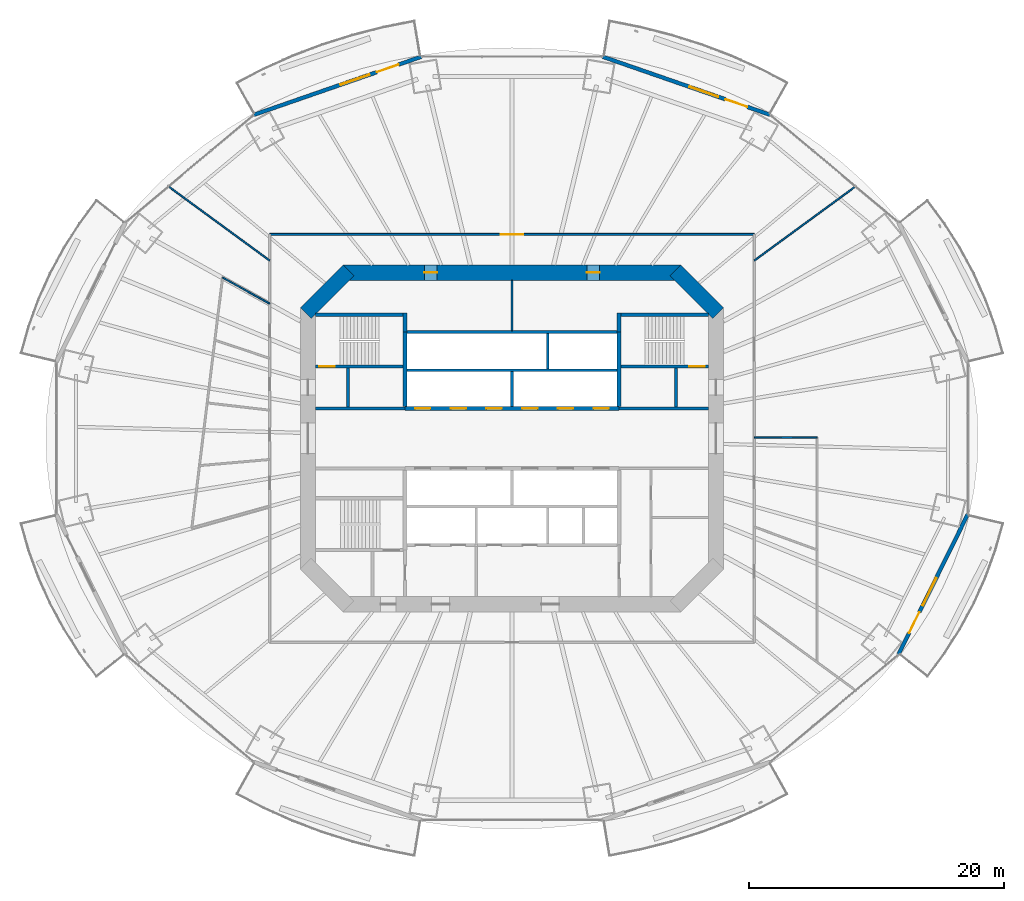
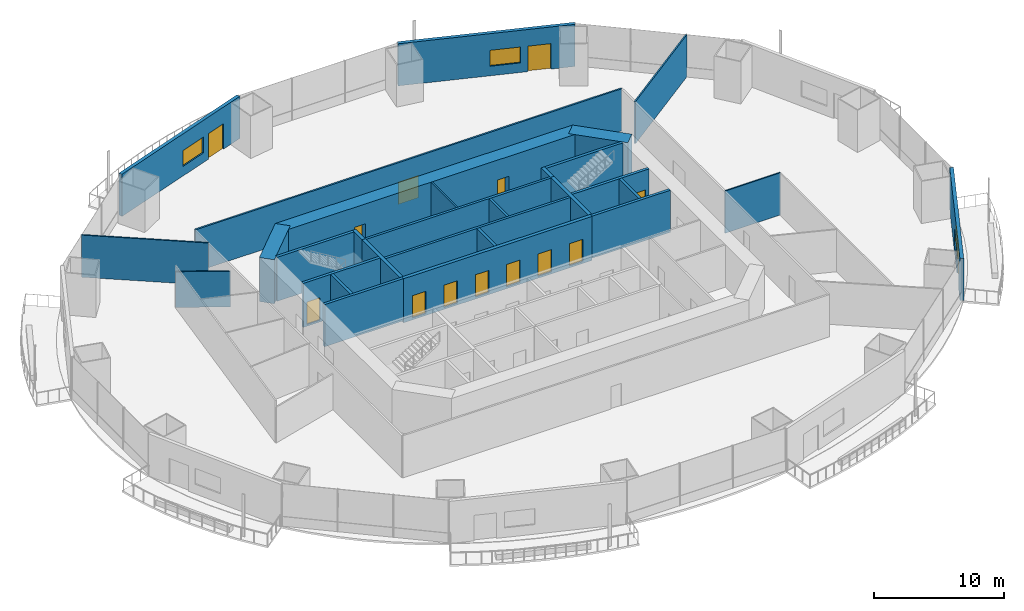
# One storey, part 16 of 23: 29 walls, 14 doors, 3 windows, 17 openings.
"""IFC4 building model written with IfcOpenShell, lengths in metres."""

from ifc_helpers import new_model, si_unit, direction, frame, frame_2d, origin, place, context, subcontext, project, spatial, rectangle, extrude, material, layer, layer_set, type_object, element, fill, save


model = new_model("IFC4")

# Units and contexts
model_context = context("Model", 3, precision=1e-05, world=origin(), true_north=direction((0.0, 1.0)))
body_context = subcontext(model_context, "Body", "Model", "MODEL_VIEW")
ifc_project = project(units=[si_unit("LENGTHUNIT", "METRE"), si_unit("AREAUNIT", "SQUARE_METRE"), si_unit("VOLUMEUNIT", "CUBIC_METRE"), si_unit("PLANEANGLEUNIT", "RADIAN"), si_unit("MASSUNIT", "GRAM", prefix="KILO")], contexts=[model_context])

# Site, building, storey
site_placement = place(None, origin())
site = spatial("IfcSite", under=ifc_project, at=site_placement, CompositionType="ELEMENT")
building_placement = place(site_placement, origin())
building = spatial("IfcBuilding", under=site, at=building_placement, Name="Marenthal Gate Tower", CompositionType="ELEMENT")
storey_placement = place(building_placement, frame((0.0, 0.0, 53.75)))
storey = spatial("IfcBuildingStorey", under=building, at=storey_placement, Name="L09", CompositionType="ELEMENT", Elevation=53.75)

# Wall
ifc_material_1 = material(Name="Concrete 60 MPa", Category="concrete")
ifc_layer_1 = layer(ifc_material_1, 1.199951171875)
ifc_layer_set_1 = layer_set([ifc_layer_1], Name="Core shear wall 1200")
wall_type_1 = type_object("IfcWallType", Name="Core shear wall 1200", PredefinedType="SHEAR", material=ifc_layer_set_1)
wall_1_placement = place(storey_placement, frame((16.17578125, 9.82421875, -0.179931640625), z_axis=(0.0, 0.0, 1.0), x_axis=(-0.707106781187, 0.707106781187, 0.0)))
element("IfcWall", 1, at=wall_1_placement, inside=storey, type_object=wall_type_1, Name="Core wall 03", PredefinedType="SHEAR", context=body_context, shape_type="SweptSolid", body=[
    extrude(rectangle(XDim=4.73974609375, YDim=1.199951171875, at=frame_2d((2.369873046875, 0.0))), origin(), (0.0, 0.0, 1.0), 4.14990234375),
])

# Wall, openings, doors
wall_2_placement = place(storey_placement, frame((13.24853515625, 13.0, -0.179931640625), z_axis=(0.0, 0.0, 1.0), x_axis=(-1.0, 0.0, 0.0)))
wall_2 = element("IfcWall", 2, at=wall_2_placement, inside=storey, type_object=wall_type_1, Name="Core wall 04", PredefinedType="SHEAR", context=body_context, shape_type="SweptSolid", body=[
    extrude(rectangle(XDim=26.4970703125, YDim=1.199951171875, at=frame_2d((13.24853515625, 0.0))), origin(), (0.0, 0.0, 1.0), 4.14990234375),
])
opening_1_placement = place(wall_2_placement, frame((19.12451171875, 0.0, 0.179931640625)))
opening_1 = element("IfcOpeningElement", 3, at=opening_1_placement, cuts=wall_2, Name="Opening D005.01", PredefinedType="OPENING", context=body_context, shape_type="SweptSolid", body=[
    extrude(rectangle(XDim=1.0, YDim=2.10009765625, at=frame_2d((0.5, 1.050048828125))), frame((0.0, 0.60986328125, 0.0), z_axis=(0.0, -1.0, 0.0), x_axis=(1.0, 0.0, 0.0)), (0.0, 0.0, 1.0), 1.219970703125),
])
opening_2_placement = place(wall_2_placement, frame((6.37255859375, 0.0, 0.179931640625)))
opening_2 = element("IfcOpeningElement", 4, at=opening_2_placement, cuts=wall_2, Name="Opening D005.02", PredefinedType="OPENING", context=body_context, shape_type="SweptSolid", body=[
    extrude(rectangle(XDim=1.0, YDim=2.10009765625, at=frame_2d((0.5, 1.050048828125))), frame((0.0, 0.60986328125, 0.0), z_axis=(0.0, -1.0, 0.0), x_axis=(1.0, 0.0, 0.0)), (0.0, 0.0, 1.0), 1.219970703125),
])
ifc_material_2 = material(Name="Steel fire door", Category="steel")
door_type_1 = type_object("IfcDoorType", Name="Fire door FD 45 1000 x 2100", OperationType="NOTDEFINED", PredefinedType="DOOR", material=ifc_material_2)
door_1_placement = place(opening_1_placement, origin())
door_1 = element("IfcDoor", 5, at=door_1_placement, inside=storey, type_object=door_type_1, Name="Door D005.01", OperationType="SINGLE_SWING_RIGHT", OverallHeight=2.10009765625, OverallWidth=1.0, PredefinedType="DOOR", context=body_context, shape_type="SweptSolid", body=[
    extrude(rectangle(XDim=1.0, YDim=2.10009765625, at=frame_2d((0.5, 1.050048828125))), frame((0.0, 0.02490234375, 0.0), z_axis=(0.0, -1.0, 0.0), x_axis=(1.0, 0.0, 0.0)), (0.0, 0.0, 1.0), 0.050048828125),
])
fill(opening_1, door_1)
door_2_placement = place(opening_2_placement, origin())
door_2 = element("IfcDoor", 6, at=door_2_placement, inside=storey, type_object=door_type_1, Name="Door D005.02", OperationType="SINGLE_SWING_RIGHT", OverallHeight=2.10009765625, OverallWidth=1.0, PredefinedType="DOOR", context=body_context, shape_type="SweptSolid", body=[
    extrude(rectangle(XDim=1.0, YDim=2.10009765625, at=frame_2d((0.5, 1.050048828125))), frame((0.0, 0.02490234375, 0.0), z_axis=(0.0, -1.0, 0.0), x_axis=(1.0, 0.0, 0.0)), (0.0, 0.0, 1.0), 0.050048828125),
])
fill(opening_2, door_2)

# Wall
wall_3_placement = place(storey_placement, frame((-12.82421875, 13.17578125, -0.179931640625), z_axis=(0.0, 0.0, 1.0), x_axis=(-0.707106781187, -0.707106781187, 0.0)))
element("IfcWall", 7, at=wall_3_placement, inside=storey, type_object=wall_type_1, Name="Core wall 05", PredefinedType="SHEAR", context=body_context, shape_type="SweptSolid", body=[
    extrude(rectangle(XDim=4.73974609375, YDim=1.199951171875, at=frame_2d((2.369873046875, 0.0))), origin(), (0.0, 0.0, 1.0), 4.14990234375),
])

# Wall, openings, doors
ifc_material_3 = material(Name="Concrete 50 MPa", Category="concrete")
ifc_layer_2 = layer(ifc_material_3, 0.300048828125)
ifc_layer_set_2 = layer_set([ifc_layer_2], Name="Hoistway shear wall 300")
wall_type_2 = type_object("IfcWallType", Name="Hoistway shear wall 300", PredefinedType="SHEAR", material=ifc_layer_set_2)
wall_4_placement = place(storey_placement, frame((-8.39990234375, 2.35009765625, -0.179931640625), z_axis=(0.0, 0.0, 1.0), x_axis=(1.0, 0.0, 0.0)))
wall_4 = element("IfcWall", 8, at=wall_4_placement, inside=storey, type_object=wall_type_2, Name="Hoistway wall 19", PredefinedType="SHEAR", context=body_context, shape_type="SweptSolid", body=[
    extrude(rectangle(XDim=16.7998046875, YDim=0.300048828125, at=frame_2d((8.39990234375, 0.0))), origin(), (0.0, 0.0, 1.0), 4.14990234375),
])
opening_3_placement = place(wall_4_placement, frame((0.800048828125, 0.0, 0.179931640625)))
opening_3 = element("IfcOpeningElement", 9, at=opening_3_placement, cuts=wall_4, Name="Opening LD-LP1", PredefinedType="OPENING", context=body_context, shape_type="SweptSolid", body=[
    extrude(rectangle(XDim=1.199951171875, YDim=2.10009765625, at=frame_2d((0.60009765625, 1.050048828125))), frame((0.0, 0.16015625, 0.0), z_axis=(0.0, -1.0, 0.0), x_axis=(1.0, 0.0, 0.0)), (0.0, 0.0, 1.0), 0.320068359375),
])
opening_4_placement = place(wall_4_placement, frame((3.60009765625, 0.0, 0.179931640625)))
opening_4 = element("IfcOpeningElement", 10, at=opening_4_placement, cuts=wall_4, Name="Opening LD-LP2", PredefinedType="OPENING", context=body_context, shape_type="SweptSolid", body=[
    extrude(rectangle(XDim=1.199951171875, YDim=2.10009765625, at=frame_2d((0.60009765625, 1.050048828125))), frame((0.0, 0.16015625, 0.0), z_axis=(0.0, -1.0, 0.0), x_axis=(1.0, 0.0, 0.0)), (0.0, 0.0, 1.0), 0.320068359375),
])
opening_5_placement = place(wall_4_placement, frame((6.39990234375, 0.0, 0.179931640625)))
opening_5 = element("IfcOpeningElement", 11, at=opening_5_placement, cuts=wall_4, Name="Opening LD-LP3", PredefinedType="OPENING", context=body_context, shape_type="SweptSolid", body=[
    extrude(rectangle(XDim=1.199951171875, YDim=2.10009765625, at=frame_2d((0.60009765625, 1.050048828125))), frame((0.0, 0.16015625, 0.0), z_axis=(0.0, -1.0, 0.0), x_axis=(1.0, 0.0, 0.0)), (0.0, 0.0, 1.0), 0.320068359375),
])
opening_6_placement = place(wall_4_placement, frame((9.199951171875, 0.0, 0.179931640625)))
opening_6 = element("IfcOpeningElement", 12, at=opening_6_placement, cuts=wall_4, Name="Opening LD-LP4", PredefinedType="OPENING", context=body_context, shape_type="SweptSolid", body=[
    extrude(rectangle(XDim=1.199951171875, YDim=2.10009765625, at=frame_2d((0.60009765625, 1.050048828125))), frame((0.0, 0.16015625, 0.0), z_axis=(0.0, -1.0, 0.0), x_axis=(1.0, 0.0, 0.0)), (0.0, 0.0, 1.0), 0.320068359375),
])
opening_7_placement = place(wall_4_placement, frame((12.0, 0.0, 0.179931640625)))
opening_7 = element("IfcOpeningElement", 13, at=opening_7_placement, cuts=wall_4, Name="Opening LD-LP5", PredefinedType="OPENING", context=body_context, shape_type="SweptSolid", body=[
    extrude(rectangle(XDim=1.199951171875, YDim=2.10009765625, at=frame_2d((0.60009765625, 1.050048828125))), frame((0.0, 0.16015625, 0.0), z_axis=(0.0, -1.0, 0.0), x_axis=(1.0, 0.0, 0.0)), (0.0, 0.0, 1.0), 0.320068359375),
])
opening_8_placement = place(wall_4_placement, frame((14.800048828125, 0.0, 0.179931640625)))
opening_8 = element("IfcOpeningElement", 14, at=opening_8_placement, cuts=wall_4, Name="Opening LD-LP6", PredefinedType="OPENING", context=body_context, shape_type="SweptSolid", body=[
    extrude(rectangle(XDim=1.199951171875, YDim=2.10009765625, at=frame_2d((0.60009765625, 1.050048828125))), frame((0.0, 0.16015625, 0.0), z_axis=(0.0, -1.0, 0.0), x_axis=(1.0, 0.0, 0.0)), (0.0, 0.0, 1.0), 0.320068359375),
])
ifc_material_4 = material(Name="Stainless steel sliding door", Category="steel")
door_type_2 = type_object("IfcDoorType", Name="Lift landing door FD 90 1200 x 2100", OperationType="DOUBLE_DOOR_SLIDING", PredefinedType="DOOR", material=ifc_material_4)
door_3_placement = place(opening_3_placement, origin())
door_3 = element("IfcDoor", 15, at=door_3_placement, inside=storey, type_object=door_type_2, Name="Lift landing door LP1", OperationType="DOUBLE_DOOR_SLIDING", OverallHeight=2.10009765625, OverallWidth=1.199951171875, PredefinedType="DOOR", context=body_context, shape_type="SweptSolid", body=[
    extrude(rectangle(XDim=1.199951171875, YDim=2.10009765625, at=frame_2d((0.60009765625, 1.050048828125))), frame((0.0, 0.02490234375, 0.0), z_axis=(0.0, -1.0, 0.0), x_axis=(1.0, 0.0, 0.0)), (0.0, 0.0, 1.0), 0.050048828125),
])
fill(opening_3, door_3)
door_4_placement = place(opening_4_placement, origin())
door_4 = element("IfcDoor", 16, at=door_4_placement, inside=storey, type_object=door_type_2, Name="Lift landing door LP2", OperationType="DOUBLE_DOOR_SLIDING", OverallHeight=2.10009765625, OverallWidth=1.199951171875, PredefinedType="DOOR", context=body_context, shape_type="SweptSolid", body=[
    extrude(rectangle(XDim=1.199951171875, YDim=2.10009765625, at=frame_2d((0.60009765625, 1.050048828125))), frame((0.0, 0.02490234375, 0.0), z_axis=(0.0, -1.0, 0.0), x_axis=(1.0, 0.0, 0.0)), (0.0, 0.0, 1.0), 0.050048828125),
])
fill(opening_4, door_4)
door_5_placement = place(opening_5_placement, origin())
door_5 = element("IfcDoor", 17, at=door_5_placement, inside=storey, type_object=door_type_2, Name="Lift landing door LP3", OperationType="DOUBLE_DOOR_SLIDING", OverallHeight=2.10009765625, OverallWidth=1.199951171875, PredefinedType="DOOR", context=body_context, shape_type="SweptSolid", body=[
    extrude(rectangle(XDim=1.199951171875, YDim=2.10009765625, at=frame_2d((0.60009765625, 1.050048828125))), frame((0.0, 0.02490234375, 0.0), z_axis=(0.0, -1.0, 0.0), x_axis=(1.0, 0.0, 0.0)), (0.0, 0.0, 1.0), 0.050048828125),
])
fill(opening_5, door_5)
door_6_placement = place(opening_6_placement, origin())
door_6 = element("IfcDoor", 18, at=door_6_placement, inside=storey, type_object=door_type_2, Name="Lift landing door LP4", OperationType="DOUBLE_DOOR_SLIDING", OverallHeight=2.10009765625, OverallWidth=1.199951171875, PredefinedType="DOOR", context=body_context, shape_type="SweptSolid", body=[
    extrude(rectangle(XDim=1.199951171875, YDim=2.10009765625, at=frame_2d((0.60009765625, 1.050048828125))), frame((0.0, 0.02490234375, 0.0), z_axis=(0.0, -1.0, 0.0), x_axis=(1.0, 0.0, 0.0)), (0.0, 0.0, 1.0), 0.050048828125),
])
fill(opening_6, door_6)
door_7_placement = place(opening_7_placement, origin())
door_7 = element("IfcDoor", 19, at=door_7_placement, inside=storey, type_object=door_type_2, Name="Lift landing door LP5", OperationType="DOUBLE_DOOR_SLIDING", OverallHeight=2.10009765625, OverallWidth=1.199951171875, PredefinedType="DOOR", context=body_context, shape_type="SweptSolid", body=[
    extrude(rectangle(XDim=1.199951171875, YDim=2.10009765625, at=frame_2d((0.60009765625, 1.050048828125))), frame((0.0, 0.02490234375, 0.0), z_axis=(0.0, -1.0, 0.0), x_axis=(1.0, 0.0, 0.0)), (0.0, 0.0, 1.0), 0.050048828125),
])
fill(opening_7, door_7)
door_8_placement = place(opening_8_placement, origin())
door_8 = element("IfcDoor", 20, at=door_8_placement, inside=storey, type_object=door_type_2, Name="Lift landing door LP6", OperationType="DOUBLE_DOOR_SLIDING", OverallHeight=2.10009765625, OverallWidth=1.199951171875, PredefinedType="DOOR", context=body_context, shape_type="SweptSolid", body=[
    extrude(rectangle(XDim=1.199951171875, YDim=2.10009765625, at=frame_2d((0.60009765625, 1.050048828125))), frame((0.0, 0.02490234375, 0.0), z_axis=(0.0, -1.0, 0.0), x_axis=(1.0, 0.0, 0.0)), (0.0, 0.0, 1.0), 0.050048828125),
])
fill(opening_8, door_8)

# Walls
for number, where, z_axis, x_axis, name in (
    (21, (-8.39990234375, 2.5, -0.179931640625), (0.0, 0.0, 1.0), (0.0, 1.0, 0.0), "Hoistway wall 31"),
    (22, (8.39990234375, 2.5, -0.179931640625), (0.0, 0.0, 1.0), (0.0, 1.0, 0.0), "Hoistway wall 43"),
):
    element("IfcWall", number, at=place(storey_placement, frame(where, z_axis=z_axis, x_axis=x_axis)), inside=storey, type_object=wall_type_2, Name=name, PredefinedType="SHEAR", context=body_context, shape_type="SweptSolid", body=[
        extrude(rectangle(XDim=5.85009765625, YDim=0.300048828125, at=frame_2d((2.925048828125, 0.0))), origin(), (0.0, 0.0, 1.0), 4.14990234375),
    ])
ifc_material_5 = material(Name="Concrete 40 MPa", Category="concrete")
ifc_layer_3 = layer(ifc_material_5, 0.219970703125)
ifc_layer_set_3 = layer_set([ifc_layer_3], Name="Hoistway wall 220")
wall_type_3 = type_object("IfcWallType", Name="Hoistway wall 220", PredefinedType="STANDARD", material=ifc_layer_set_3)
for number, where, z_axis, x_axis, name in (
    (23, (-8.25, 5.35009765625, 0.0), (0.0, 0.0, 1.0), (1.0, 0.0, 0.0), "Hoistway wall 21"),
    (24, (-8.25, 8.35009765625, 0.0), (0.0, 0.0, 1.0), (1.0, 0.0, 0.0), "Hoistway wall 24"),
):
    element("IfcWall", number, at=place(storey_placement, frame(where, z_axis=z_axis, x_axis=x_axis)), inside=storey, type_object=wall_type_3, Name=name, PredefinedType="STANDARD", context=body_context, shape_type="SweptSolid", body=[
        extrude(rectangle(XDim=16.5, YDim=0.219970703125, at=frame_2d((8.25, 0.0))), origin(), (0.0, 0.0, 1.0), 3.969970703125),
    ])
wall_5_placement = place(storey_placement, frame((0.0, 2.5, 0.0), z_axis=(0.0, 0.0, 1.0), x_axis=(0.0, 1.0, 0.0)))
element("IfcWall", 25, at=wall_5_placement, inside=storey, type_object=wall_type_3, Name="Hoistway wall 36", PredefinedType="STANDARD", context=body_context, shape_type="SweptSolid", body=[
    extrude(rectangle(XDim=2.739990234375, YDim=0.219970703125, at=frame_2d((1.3701171875, 0.0))), origin(), (0.0, 0.0, 1.0), 3.969970703125),
])
wall_6_placement = place(storey_placement, frame((2.800048828125, 5.4599609375, 0.0), z_axis=(0.0, 0.0, 1.0), x_axis=(0.0, 1.0, 0.0)))
element("IfcWall", 26, at=wall_6_placement, inside=storey, type_object=wall_type_3, Name="Hoistway wall 39", PredefinedType="STANDARD", context=body_context, shape_type="SweptSolid", body=[
    extrude(rectangle(XDim=2.780029296875, YDim=0.219970703125, at=frame_2d((1.39013671875, 0.0))), origin(), (0.0, 0.0, 1.0), 3.969970703125),
])
ifc_material_6 = material(Name="Gypsum board on steel studs", Category="steel")
ifc_layer_4 = layer(ifc_material_6, 0.1201171875)
ifc_layer_set_4 = layer_set([ifc_layer_4], Name="Partition 120")
wall_type_4 = type_object("IfcWallType", Name="Partition 120", PredefinedType="PARTITIONING", material=ifc_layer_set_4)
wall_7_placement = place(storey_placement, frame((-22.6953125, 12.618896484375, 0.0), z_axis=(0.0, 0.0, 1.0), x_axis=(0.87398290434, -0.485956667741, 0.0)))
element("IfcWall", 27, at=wall_7_placement, inside=storey, type_object=wall_type_4, Name="Partition wall 51", PredefinedType="PARTITIONING", context=body_context, shape_type="SweptSolid", body=[
    extrude(rectangle(XDim=4.22802734375, YDim=0.1201171875, at=frame_2d((2.114013671875, 0.0))), origin(), (0.0, 0.0, 1.0), 3.35791015625),
])
wall_8_placement = place(storey_placement, frame((-19.0, 13.941162109375, 0.0), z_axis=(0.0, 0.0, 1.0), x_axis=(-0.806231534746, 0.591600128787, 0.0)))
element("IfcWall", 28, at=wall_8_placement, inside=storey, type_object=wall_type_4, Name="Partition wall 54", PredefinedType="PARTITIONING", context=body_context, shape_type="SweptSolid", body=[
    extrude(rectangle(XDim=9.84619140625, YDim=0.1201171875, at=frame_2d((4.923095703125, 0.0))), origin(), (0.0, 0.0, 1.0), 3.969970703125),
])
wall_9_placement = place(storey_placement, frame((19.0, 13.94140625, 0.0), z_axis=(0.0, 0.0, 1.0), x_axis=(0.806243361472, 0.59158401101, 0.0)))
element("IfcWall", 29, at=wall_9_placement, inside=storey, type_object=wall_type_4, Name="Partition wall 58", PredefinedType="PARTITIONING", context=body_context, shape_type="SweptSolid", body=[
    extrude(rectangle(XDim=9.845947265625, YDim=0.1201171875, at=frame_2d((4.9228515625, 0.0))), origin(), (0.0, 0.0, 1.0), 3.969970703125),
])
wall_10_placement = place(storey_placement, frame((23.921630859375, 0.078125, 0.0), z_axis=(0.0, 0.0, 1.0), x_axis=(-0.999994640597, -0.003273954377, 0.0)))
element("IfcWall", 30, at=wall_10_placement, inside=storey, type_object=wall_type_4, Name="Partition wall 62", PredefinedType="PARTITIONING", context=body_context, shape_type="SweptSolid", body=[
    extrude(rectangle(XDim=4.921630859375, YDim=0.1201171875, at=frame_2d((2.4609375, 0.0))), origin(), (0.0, 0.0, 1.0), 3.969970703125),
])
ifc_material_7 = material(Name="Gypsum board on steel studs", Category="steel")
ifc_layer_5 = layer(ifc_material_7, 0.14990234375)
ifc_layer_set_5 = layer_set([ifc_layer_5], Name="Partition 150")
wall_type_5 = type_object("IfcWallType", Name="Partition 150", PredefinedType="PARTITIONING", material=ifc_layer_set_5)
wall_11_placement = place(storey_placement, frame((0.0, 8.4599609375, 0.0), z_axis=(0.0, 0.0, 1.0), x_axis=(0.0, 1.0, 0.0)))
element("IfcWall", 31, at=wall_11_placement, inside=storey, type_object=wall_type_5, Name="Partition wall 37", PredefinedType="PARTITIONING", context=body_context, shape_type="SweptSolid", body=[
    extrude(rectangle(XDim=3.93994140625, YDim=0.14990234375, at=frame_2d((1.969970703125, 0.0))), origin(), (0.0, 0.0, 1.0), 3.969970703125),
])

# Wall, opening, door
wall_12_placement = place(storey_placement, frame((-19.0, 16.0, 0.0), z_axis=(0.0, 0.0, 1.0), x_axis=(1.0, 0.0, 0.0)))
wall_12 = element("IfcWall", 32, at=wall_12_placement, inside=storey, type_object=wall_type_5, Name="Partition wall 55", PredefinedType="PARTITIONING", context=body_context, shape_type="SweptSolid", body=[
    extrude(rectangle(XDim=38.0, YDim=0.14990234375, at=frame_2d((19.0, 0.0))), origin(), (0.0, 0.0, 1.0), 3.969970703125),
])
opening_9_placement = place(wall_12_placement, frame((18.10009765625, 0.0, 0.0)))
opening_9 = element("IfcOpeningElement", 33, at=opening_9_placement, cuts=wall_12, Name="Opening D014.01", PredefinedType="OPENING", context=body_context, shape_type="SweptSolid", body=[
    extrude(rectangle(XDim=1.800048828125, YDim=2.10009765625, at=frame_2d((0.89990234375, 1.050048828125))), frame((0.0, 0.0849609375, 0.0), z_axis=(0.0, -1.0, 0.0), x_axis=(1.0, 0.0, 0.0)), (0.0, 0.0, 1.0), 0.169921875),
])
ifc_material_8 = material(Name="Timber door", Category="wood")
door_type_3 = type_object("IfcDoorType", Name="Double door 1800 x 2100", OperationType="DOUBLE_DOOR_SINGLE_SWING", PredefinedType="DOOR", material=ifc_material_8)
door_9_placement = place(opening_9_placement, origin())
door_9 = element("IfcDoor", 34, at=door_9_placement, inside=storey, type_object=door_type_3, Name="Door D014.01", OperationType="DOUBLE_DOOR_SINGLE_SWING", OverallHeight=2.10009765625, OverallWidth=1.800048828125, PredefinedType="DOOR", context=body_context, shape_type="SweptSolid", body=[
    extrude(rectangle(XDim=1.800048828125, YDim=2.10009765625, at=frame_2d((0.89990234375, 1.050048828125))), frame((0.0, 0.02490234375, 0.0), z_axis=(0.0, -1.0, 0.0), x_axis=(1.0, 0.0, 0.0)), (0.0, 0.0, 1.0), 0.050048828125),
])
fill(opening_9, door_9)

# Walls
ifc_material_9 = material(Name="Concrete 40 MPa", Category="concrete")
ifc_layer_6 = layer(ifc_material_9, 0.25)
ifc_layer_set_6 = layer_set([ifc_layer_6], Name="Stair enclosure wall 250")
wall_type_6 = type_object("IfcWallType", Name="Stair enclosure wall 250", PredefinedType="STANDARD", material=ifc_layer_set_6)
for number, where, z_axis, x_axis, name in (
    (35, (-15.39990234375, 2.35009765625, 0.0), (0.0, 0.0, 1.0), (1.0, 0.0, 0.0), "Stair wall 18"),
    (36, (8.39990234375, 2.35009765625, 0.0), (0.0, 0.0, 1.0), (1.0, 0.0, 0.0), "Stair wall 20"),
):
    element("IfcWall", number, at=place(storey_placement, frame(where, z_axis=z_axis, x_axis=x_axis)), inside=storey, type_object=wall_type_6, Name=name, PredefinedType="STANDARD", context=body_context, shape_type="SweptSolid", body=[
        extrude(rectangle(XDim=7.0, YDim=0.25, at=frame_2d((3.5, 0.0))), origin(), (0.0, 0.0, 1.0), 3.969970703125),
    ])
for number, where, z_axis, x_axis, name in (
    (37, (-12.85009765625, 2.47509765625, 0.0), (0.0, 0.0, 1.0), (0.0, 1.0, 0.0), "Stair wall 27"),
    (38, (12.85009765625, 2.47509765625, 0.0), (0.0, 0.0, 1.0), (0.0, 1.0, 0.0), "Stair wall 46"),
):
    element("IfcWall", number, at=place(storey_placement, frame(where, z_axis=z_axis, x_axis=x_axis)), inside=storey, type_object=wall_type_6, Name=name, PredefinedType="STANDARD", context=body_context, shape_type="SweptSolid", body=[
        extrude(rectangle(XDim=3.0498046875, YDim=0.25, at=frame_2d((1.52490234375, 0.0))), origin(), (0.0, 0.0, 1.0), 3.969970703125),
    ])

# Wall, opening, door
ifc_material_10 = material(Name="Concrete 50 MPa", Category="concrete")
ifc_layer_7 = layer(ifc_material_10, 0.25)
ifc_layer_set_7 = layer_set([ifc_layer_7], Name="Stair shear wall 250")
wall_type_7 = type_object("IfcWallType", Name="Stair shear wall 250", PredefinedType="SHEAR", material=ifc_layer_set_7)
wall_13_placement = place(storey_placement, frame((-15.39990234375, 5.64990234375, -0.179931640625), z_axis=(0.0, 0.0, 1.0), x_axis=(1.0, 0.0, 0.0)))
wall_13 = element("IfcWall", 39, at=wall_13_placement, inside=storey, type_object=wall_type_7, Name="Stair wall 22", PredefinedType="SHEAR", context=body_context, shape_type="SweptSolid", body=[
    extrude(rectangle(XDim=6.849853515625, YDim=0.25, at=frame_2d((3.4248046875, 0.0))), origin(), (0.0, 0.0, 1.0), 4.14990234375),
])
opening_10_placement = place(wall_13_placement, frame((0.300048828125, 0.0, 0.179931640625)))
opening_10 = element("IfcOpeningElement", 40, at=opening_10_placement, cuts=wall_13, Name="Opening D001.01", PredefinedType="OPENING", context=body_context, shape_type="SweptSolid", body=[
    extrude(rectangle(XDim=1.199951171875, YDim=2.10009765625, at=frame_2d((0.60009765625, 1.050048828125))), frame((0.0, 0.135009765625, 0.0), z_axis=(0.0, -1.0, 0.0), x_axis=(1.0, 0.0, 0.0)), (0.0, 0.0, 1.0), 0.27001953125),
])
ifc_material_11 = material(Name="Steel fire door", Category="steel")
door_type_4 = type_object("IfcDoorType", Name="Fire door FD 90 1200 x 2100", OperationType="NOTDEFINED", PredefinedType="DOOR", material=ifc_material_11)
door_10_placement = place(opening_10_placement, origin())
door_10 = element("IfcDoor", 41, at=door_10_placement, inside=storey, type_object=door_type_4, Name="Door D001.01", OperationType="SINGLE_SWING_RIGHT", OverallHeight=2.10009765625, OverallWidth=1.199951171875, PredefinedType="DOOR", context=body_context, shape_type="SweptSolid", body=[
    extrude(rectangle(XDim=1.199951171875, YDim=2.10009765625, at=frame_2d((0.60009765625, 1.050048828125))), frame((0.0, 0.02490234375, 0.0), z_axis=(0.0, -1.0, 0.0), x_axis=(1.0, 0.0, 0.0)), (0.0, 0.0, 1.0), 0.050048828125),
])
fill(opening_10, door_10)

wall_14_placement = place(storey_placement, frame((8.550048828125, 5.64990234375, -0.179931640625), z_axis=(0.0, 0.0, 1.0), x_axis=(1.0, 0.0, 0.0)))
wall_14 = element("IfcWall", 42, at=wall_14_placement, inside=storey, type_object=wall_type_7, Name="Stair wall 23", PredefinedType="SHEAR", context=body_context, shape_type="SweptSolid", body=[
    extrude(rectangle(XDim=6.849853515625, YDim=0.25, at=frame_2d((3.4248046875, 0.0))), origin(), (0.0, 0.0, 1.0), 4.14990234375),
])
opening_11_placement = place(wall_14_placement, frame((5.35009765625, 0.0, 0.179931640625)))
opening_11 = element("IfcOpeningElement", 43, at=opening_11_placement, cuts=wall_14, Name="Opening D001.02", PredefinedType="OPENING", context=body_context, shape_type="SweptSolid", body=[
    extrude(rectangle(XDim=1.199951171875, YDim=2.10009765625, at=frame_2d((0.60009765625, 1.050048828125))), frame((0.0, 0.135009765625, 0.0), z_axis=(0.0, -1.0, 0.0), x_axis=(1.0, 0.0, 0.0)), (0.0, 0.0, 1.0), 0.27001953125),
])
door_11_placement = place(opening_11_placement, origin())
door_11 = element("IfcDoor", 44, at=door_11_placement, inside=storey, type_object=door_type_4, Name="Door D001.02", OperationType="SINGLE_SWING_RIGHT", OverallHeight=2.10009765625, OverallWidth=1.199951171875, PredefinedType="DOOR", context=body_context, shape_type="SweptSolid", body=[
    extrude(rectangle(XDim=1.199951171875, YDim=2.10009765625, at=frame_2d((0.60009765625, 1.050048828125))), frame((0.0, 0.02490234375, 0.0), z_axis=(0.0, -1.0, 0.0), x_axis=(1.0, 0.0, 0.0)), (0.0, 0.0, 1.0), 0.050048828125),
])
fill(opening_11, door_11)

# Walls
for number, where, z_axis, x_axis, name in (
    (45, (-15.39990234375, 9.699951171875, -0.179931640625), (0.0, 0.0, 1.0), (1.0, 0.0, 0.0), "Stair wall 25"),
    (46, (8.550048828125, 9.699951171875, -0.179931640625), (0.0, 0.0, 1.0), (1.0, 0.0, 0.0), "Stair wall 26"),
):
    element("IfcWall", number, at=place(storey_placement, frame(where, z_axis=z_axis, x_axis=x_axis)), inside=storey, type_object=wall_type_7, Name=name, PredefinedType="SHEAR", context=body_context, shape_type="SweptSolid", body=[
        extrude(rectangle(XDim=6.849853515625, YDim=0.25, at=frame_2d((3.4248046875, 0.0))), origin(), (0.0, 0.0, 1.0), 4.14990234375),
    ])
ifc_material_12 = material(Name="Concrete 50 MPa", Category="concrete")
ifc_layer_8 = layer(ifc_material_12, 0.300048828125)
ifc_layer_set_8 = layer_set([ifc_layer_8], Name="Stair shear wall 300")
wall_type_8 = type_object("IfcWallType", Name="Stair shear wall 300", PredefinedType="SHEAR", material=ifc_layer_set_8)
for number, where, z_axis, x_axis, name in (
    (47, (-8.39990234375, 8.35009765625, -0.179931640625), (0.0, 0.0, 1.0), (0.0, 1.0, 0.0), "Stair wall 32"),
    (48, (8.39990234375, 8.35009765625, -0.179931640625), (0.0, 0.0, 1.0), (0.0, 1.0, 0.0), "Stair wall 44"),
):
    element("IfcWall", number, at=place(storey_placement, frame(where, z_axis=z_axis, x_axis=x_axis)), inside=storey, type_object=wall_type_8, Name=name, PredefinedType="SHEAR", context=body_context, shape_type="SweptSolid", body=[
        extrude(rectangle(XDim=1.474853515625, YDim=0.300048828125, at=frame_2d((0.7373046875, 0.0))), origin(), (0.0, 0.0, 1.0), 4.14990234375),
    ])

# Wall, openings, door, window
ifc_material_13 = material(Name="Terracotta cladding on insulated concrete-block backing", Category="masonry")
ifc_layer_9 = layer(ifc_material_13, 0.300048828125)
ifc_layer_set_9 = layer_set([ifc_layer_9], Name="Terracotta facade wall 300")
wall_type_9 = type_object("IfcWallType", Name="Terracotta facade wall 300", PredefinedType="SOLIDWALL", material=ifc_layer_set_9)
wall_15_placement = place(storey_placement, frame((20.243896484375, 25.372314453125, 0.0), z_axis=(0.0, 0.0, 1.0), x_axis=(-0.944772924092, 0.327725680873, 0.0)))
wall_15 = element("IfcWall", 49, at=wall_15_placement, inside=storey, type_object=wall_type_9, Name="Terracotta facade wall L09 bay 3", PredefinedType="SOLIDWALL", context=body_context, shape_type="SweptSolid", body=[
    extrude(rectangle(XDim=13.903076171875, YDim=0.300048828125, at=frame_2d((6.95166015625, 0.0))), origin(), (0.0, 0.0, 1.0), 3.969970703125),
])
opening_12_placement = place(wall_15_placement, frame((1.89990234375, 0.0, 0.0)))
opening_12 = element("IfcOpeningElement", 50, at=opening_12_placement, cuts=wall_15, Name="Opening BD-L09-03", PredefinedType="OPENING", context=body_context, shape_type="SweptSolid", body=[
    extrude(rectangle(XDim=1.800048828125, YDim=2.39990234375, at=frame_2d((0.89990234375, 1.199951171875))), frame((0.0, 0.16015625, 0.0), z_axis=(0.0, -1.0, 0.0), x_axis=(1.0, 0.0, 0.0)), (0.0, 0.0, 1.0), 0.320068359375),
])
opening_13_placement = place(wall_15_placement, frame((4.300048828125, 0.0, 0.89990234375)))
opening_13 = element("IfcOpeningElement", 51, at=opening_13_placement, cuts=wall_15, Name="Opening WN1-L09-03", PredefinedType="OPENING", context=body_context, shape_type="SweptSolid", body=[
    extrude(rectangle(XDim=2.39990234375, YDim=1.5, at=frame_2d((1.199951171875, 0.75))), frame((0.0, 0.16015625, 0.0), z_axis=(0.0, -1.0, 0.0), x_axis=(1.0, 0.0, 0.0)), (0.0, 0.0, 1.0), 0.320068359375),
])
ifc_material_14 = material(Name="Aluminium and glass", Category="aluminium")
door_type_5 = type_object("IfcDoorType", Name="Balcony door 1800x2400", OperationType="DOUBLE_DOOR_SINGLE_SWING", PredefinedType="DOOR", material=ifc_material_14)
door_12_placement = place(opening_12_placement, origin())
door_12 = element("IfcDoor", 52, at=door_12_placement, inside=storey, type_object=door_type_5, Name="Balcony door L09 bay 3", OperationType="SINGLE_SWING_LEFT", OverallHeight=2.39990234375, OverallWidth=1.800048828125, PredefinedType="DOOR", context=body_context, shape_type="SweptSolid", body=[
    extrude(rectangle(XDim=1.800048828125, YDim=2.39990234375, at=frame_2d((0.89990234375, 1.199951171875))), frame((0.0, 0.02490234375, 0.0), z_axis=(0.0, -1.0, 0.0), x_axis=(1.0, 0.0, 0.0)), (0.0, 0.0, 1.0), 0.050048828125),
])
fill(opening_12, door_12)
ifc_material_15 = material(Name="Aluminium and glass", Category="aluminium")
window_type = type_object("IfcWindowType", Name="Window 2400x1500", PartitioningType="TRIPLE_PANEL_VERTICAL", PredefinedType="WINDOW", material=ifc_material_15)
window_1_placement = place(opening_13_placement, origin())
window_1 = element("IfcWindow", 53, at=window_1_placement, inside=storey, type_object=window_type, Name="Window L09 bay 3", OverallHeight=1.5, OverallWidth=2.39990234375, PartitioningType="SINGLE_PANEL", PredefinedType="WINDOW", context=body_context, shape_type="SweptSolid", body=[
    extrude(rectangle(XDim=2.39990234375, YDim=1.5, at=frame_2d((1.199951171875, 0.75))), frame((0.0, 0.030029296875, 0.0), z_axis=(0.0, -1.0, 0.0), x_axis=(1.0, 0.0, 0.0)), (0.0, 0.0, 1.0), 0.06005859375),
])
fill(opening_13, window_1)

wall_16_placement = place(storey_placement, frame((-7.108642578125, 29.9287109375, 0.0), z_axis=(0.0, 0.0, 1.0), x_axis=(-0.944772924092, -0.327725680873, 0.0)))
wall_16 = element("IfcWall", 54, at=wall_16_placement, inside=storey, type_object=wall_type_9, Name="Terracotta facade wall L09 bay 5", PredefinedType="SOLIDWALL", context=body_context, shape_type="SweptSolid", body=[
    extrude(rectangle(XDim=13.903076171875, YDim=0.300048828125, at=frame_2d((6.95166015625, 0.0))), origin(), (0.0, 0.0, 1.0), 3.969970703125),
])
opening_14_placement = place(wall_16_placement, frame((1.89990234375, 0.0, 0.0)))
opening_14 = element("IfcOpeningElement", 55, at=opening_14_placement, cuts=wall_16, Name="Opening BD-L09-05", PredefinedType="OPENING", context=body_context, shape_type="SweptSolid", body=[
    extrude(rectangle(XDim=1.800048828125, YDim=2.39990234375, at=frame_2d((0.89990234375, 1.199951171875))), frame((0.0, 0.16015625, 0.0), z_axis=(0.0, -1.0, 0.0), x_axis=(1.0, 0.0, 0.0)), (0.0, 0.0, 1.0), 0.320068359375),
])
opening_15_placement = place(wall_16_placement, frame((4.300048828125, 0.0, 0.89990234375)))
opening_15 = element("IfcOpeningElement", 56, at=opening_15_placement, cuts=wall_16, Name="Opening WN1-L09-05", PredefinedType="OPENING", context=body_context, shape_type="SweptSolid", body=[
    extrude(rectangle(XDim=2.39990234375, YDim=1.5, at=frame_2d((1.199951171875, 0.75))), frame((0.0, 0.16015625, 0.0), z_axis=(0.0, -1.0, 0.0), x_axis=(1.0, 0.0, 0.0)), (0.0, 0.0, 1.0), 0.320068359375),
])
door_13_placement = place(opening_14_placement, origin())
door_13 = element("IfcDoor", 57, at=door_13_placement, inside=storey, type_object=door_type_5, Name="Balcony door L09 bay 5", OperationType="SINGLE_SWING_LEFT", OverallHeight=2.39990234375, OverallWidth=1.800048828125, PredefinedType="DOOR", context=body_context, shape_type="SweptSolid", body=[
    extrude(rectangle(XDim=1.800048828125, YDim=2.39990234375, at=frame_2d((0.89990234375, 1.199951171875))), frame((0.0, 0.02490234375, 0.0), z_axis=(0.0, -1.0, 0.0), x_axis=(1.0, 0.0, 0.0)), (0.0, 0.0, 1.0), 0.050048828125),
])
fill(opening_14, door_13)
window_2_placement = place(opening_15_placement, origin())
window_2 = element("IfcWindow", 58, at=window_2_placement, inside=storey, type_object=window_type, Name="Window L09 bay 5", OverallHeight=1.5, OverallWidth=2.39990234375, PartitioningType="SINGLE_PANEL", PredefinedType="WINDOW", context=body_context, shape_type="SweptSolid", body=[
    extrude(rectangle(XDim=2.39990234375, YDim=1.5, at=frame_2d((1.199951171875, 0.75))), frame((0.0, 0.030029296875, 0.0), z_axis=(0.0, -1.0, 0.0), x_axis=(1.0, 0.0, 0.0)), (0.0, 0.0, 1.0), 0.06005859375),
])
fill(opening_15, window_2)

wall_17_placement = place(storey_placement, frame((30.297119140625, -16.953125, 0.0), z_axis=(0.0, 0.0, 1.0), x_axis=(0.443341984676, 0.89635254483, 0.0)))
wall_17 = element("IfcWall", 59, at=wall_17_placement, inside=storey, type_object=wall_type_9, Name="Terracotta facade wall L09 bay 15", PredefinedType="SOLIDWALL", context=body_context, shape_type="SweptSolid", body=[
    extrude(rectangle(XDim=12.27197265625, YDim=0.300048828125, at=frame_2d((6.135986328125, 0.0))), origin(), (0.0, 0.0, 1.0), 3.969970703125),
])
opening_16_placement = place(wall_17_placement, frame((1.89990234375, 0.0, 0.0)))
opening_16 = element("IfcOpeningElement", 60, at=opening_16_placement, cuts=wall_17, Name="Opening BD-L09-15", PredefinedType="OPENING", context=body_context, shape_type="SweptSolid", body=[
    extrude(rectangle(XDim=1.800048828125, YDim=2.39990234375, at=frame_2d((0.89990234375, 1.199951171875))), frame((0.0, 0.16015625, 0.0), z_axis=(0.0, -1.0, 0.0), x_axis=(1.0, 0.0, 0.0)), (0.0, 0.0, 1.0), 0.320068359375),
])
opening_17_placement = place(wall_17_placement, frame((4.300048828125, 0.0, 0.89990234375)))
opening_17 = element("IfcOpeningElement", 61, at=opening_17_placement, cuts=wall_17, Name="Opening WN1-L09-15", PredefinedType="OPENING", context=body_context, shape_type="SweptSolid", body=[
    extrude(rectangle(XDim=2.39990234375, YDim=1.5, at=frame_2d((1.199951171875, 0.75))), frame((0.0, 0.16015625, 0.0), z_axis=(0.0, -1.0, 0.0), x_axis=(1.0, 0.0, 0.0)), (0.0, 0.0, 1.0), 0.320068359375),
])
door_14_placement = place(opening_16_placement, origin())
door_14 = element("IfcDoor", 62, at=door_14_placement, inside=storey, type_object=door_type_5, Name="Balcony door L09 bay 15", OperationType="SINGLE_SWING_LEFT", OverallHeight=2.39990234375, OverallWidth=1.800048828125, PredefinedType="DOOR", context=body_context, shape_type="SweptSolid", body=[
    extrude(rectangle(XDim=1.800048828125, YDim=2.39990234375, at=frame_2d((0.89990234375, 1.199951171875))), frame((0.0, 0.02490234375, 0.0), z_axis=(0.0, -1.0, 0.0), x_axis=(1.0, 0.0, 0.0)), (0.0, 0.0, 1.0), 0.050048828125),
])
fill(opening_16, door_14)
window_3_placement = place(opening_17_placement, origin())
window_3 = element("IfcWindow", 63, at=window_3_placement, inside=storey, type_object=window_type, Name="Window L09 bay 15", OverallHeight=1.5, OverallWidth=2.39990234375, PartitioningType="SINGLE_PANEL", PredefinedType="WINDOW", context=body_context, shape_type="SweptSolid", body=[
    extrude(rectangle(XDim=2.39990234375, YDim=1.5, at=frame_2d((1.199951171875, 0.75))), frame((0.0, 0.030029296875, 0.0), z_axis=(0.0, -1.0, 0.0), x_axis=(1.0, 0.0, 0.0)), (0.0, 0.0, 1.0), 0.06005859375),
])
fill(opening_17, window_3)

save(model, "model.ifc")
